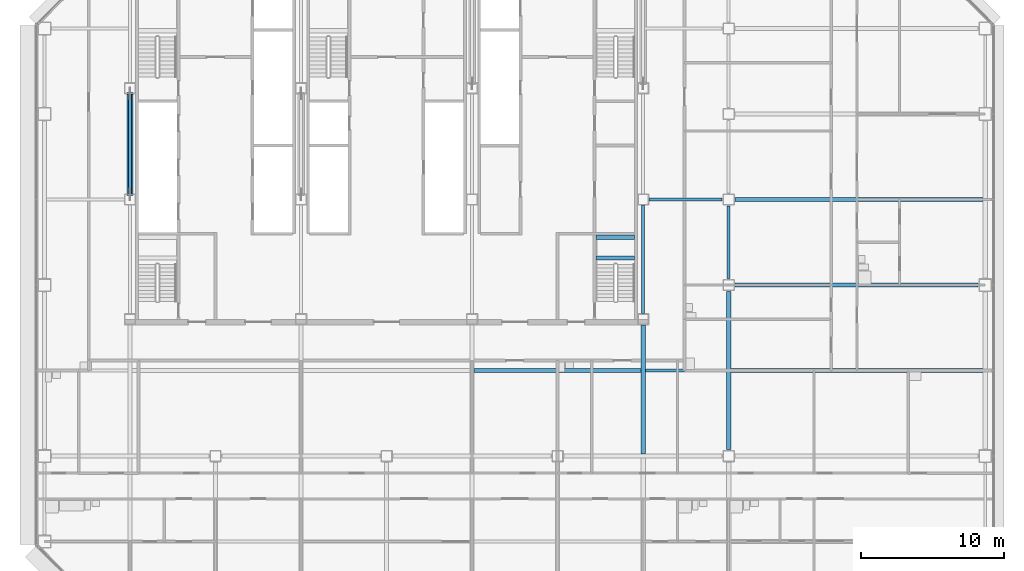
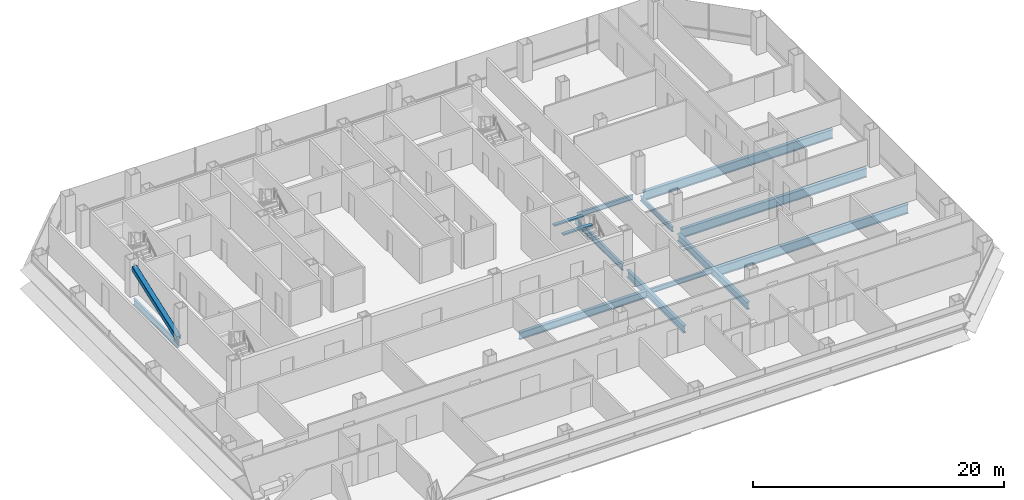
# One storey, part 10 of 27: 13 beams, 1 member.
"""IFC4 building model written with IfcOpenShell, lengths in metres."""

from ifc_helpers import new_model, si_unit, direction, frame, origin, origin_2d, place, context, subcontext, project, spatial, rectangle, hollow_rectangle, i_section, extrude, material, material_profile, profile_set, type_object, element, save


model = new_model("IFC4")

# Units and contexts
model_context = context("Model", 3, precision=1e-05, world=origin(), true_north=direction((0.0, 1.0)))
body_context = subcontext(model_context, "Body", "Model", "MODEL_VIEW")
ifc_project = project(units=[si_unit("LENGTHUNIT", "METRE"), si_unit("AREAUNIT", "SQUARE_METRE"), si_unit("VOLUMEUNIT", "CUBIC_METRE"), si_unit("PLANEANGLEUNIT", "RADIAN"), si_unit("MASSUNIT", "GRAM", prefix="KILO")], contexts=[model_context])

# Site, building, storey
site_placement = place(None, origin())
site = spatial("IfcSite", under=ifc_project, at=site_placement, CompositionType="ELEMENT")
building_placement = place(site_placement, origin())
building = spatial("IfcBuilding", under=site, at=building_placement, Name="Sorahane Residences", CompositionType="ELEMENT")
storey_placement = place(building_placement, frame((0.0, 0.0, 49.800048828125)))
storey = spatial("IfcBuildingStorey", under=building, at=storey_placement, Name="L08", CompositionType="ELEMENT", Elevation=49.800048828125)

# Member
ifc_material_1 = material(Name="Steel Q355B", Category="steel")
ifc_material_profile_1 = material_profile(ifc_material_1, hollow_rectangle(XDim=0.449951171875, YDim=0.449951171875, WallThickness=0.02197265625, InnerFilletRadius=0.010986328125, OuterFilletRadius=0.032958984375, at=origin_2d()), Name="RHS 450x450x22")
ifc_profile_set_1 = profile_set([ifc_material_profile_1], Name="Steel Q355B")
member_type = type_object("IfcMemberType", Name="Core brace RHS 450x450x22 Q355B", PredefinedType="BRACE", material=ifc_profile_set_1)
member_placement = place(storey_placement, frame((6.0, 30.354248046875, 0.20849609375), z_axis=(0.0, 0.940886586011, 0.338721762313), x_axis=(-1.0, 0.0, 0.0)))
element("IfcMember", 1, at=member_placement, inside=storey, type_object=member_type, Name="Core brace L08 x6-2", PredefinedType="BRACE", context=body_context, shape_type="SweptSolid", body=[
    extrude(hollow_rectangle(XDim=0.449951171875, YDim=0.449951171875, WallThickness=0.02197265625, InnerFilletRadius=0.010986328125, OuterFilletRadius=0.032958984375, at=origin_2d()), origin(), (0.0, 0.0, 1.0), 7.537109375),
])

# Beams
ifc_material_2 = material(Name="Concrete C40", Category="concrete")
ifc_material_profile_2 = material_profile(ifc_material_2, rectangle(XDim=0.300048828125, YDim=0.139892578125, at=origin_2d()), Name="300x140")
ifc_profile_set_2 = profile_set([ifc_material_profile_2], Name="Concrete C40")
beam_type_1 = type_object("IfcBeamType", Name="RC landing beam 300 x 140 Concrete C40", PredefinedType="BEAM", material=ifc_profile_set_2)
for number, where, z_axis, x_axis, name in (
    (2, (38.699951171875, 25.89990234375, 1.530029296875), (1.0, 0.0, 0.0), (0.0, 1.0, 0.0), "Landing beam"),
    (3, (38.699951171875, 27.35009765625, 1.530029296875), (1.0, 0.0, 0.0), (0.0, 1.0, 0.0), "Landing beam"),
):
    element("IfcBeam", number, at=place(storey_placement, frame(where, z_axis=z_axis, x_axis=x_axis)), inside=storey, type_object=beam_type_1, Name=name, PredefinedType="BEAM", context=body_context, shape_type="SweptSolid", body=[
        extrude(rectangle(XDim=0.300048828125, YDim=0.139892578125, at=origin_2d()), origin(), (0.0, 0.0, 1.0), 2.699951171875),
    ])
ifc_material_3 = material(Name="Steel Q355B", Category="steel")
ifc_material_profile_3 = material_profile(ifc_material_3, i_section(OverallWidth=0.199951171875, OverallDepth=0.449951171875, WebThickness=0.009033203125, FlangeThickness=0.013916015625, FilletRadius=0.02001953125, at=origin_2d()), Name="HN 450x200x9x14")
ifc_profile_set_3 = profile_set([ifc_material_profile_3], Name="Steel Q355B")
beam_type_2 = type_object("IfcBeamType", Name="Steel floor beam HN 450x200x9x14 Q355B", PredefinedType="BEAM", material=ifc_profile_set_3)
beam_1_placement = place(storey_placement, frame((48.0, 24.449951171875, -0.405029296875), z_axis=(0.0, 1.0, 0.0), x_axis=(-1.0, 0.0, 0.0)))
element("IfcBeam", 4, at=beam_1_placement, inside=storey, type_object=beam_type_2, Name="Beam L08 053", PredefinedType="BEAM", context=body_context, shape_type="SweptSolid", body=[
    extrude(i_section(OverallWidth=0.199951171875, OverallDepth=0.449951171875, WebThickness=0.009033203125, FlangeThickness=0.013916015625, FilletRadius=0.02001953125, at=origin_2d()), origin(), (0.0, 0.0, 1.0), 5.10009765625),
])
beam_2_placement = place(storey_placement, frame((42.14990234375, 18.0, -0.405029296875), z_axis=(1.0, 0.0, 0.0), x_axis=(0.0, 1.0, 0.0)))
element("IfcBeam", 5, at=beam_2_placement, inside=storey, type_object=beam_type_2, Name="Beam L08 074", PredefinedType="BEAM", context=body_context, shape_type="SweptSolid", body=[
    extrude(i_section(OverallWidth=0.199951171875, OverallDepth=0.449951171875, WebThickness=0.009033203125, FlangeThickness=0.013916015625, FilletRadius=0.02001953125, at=origin_2d()), origin(), (0.0, 0.0, 1.0), 5.7001953125),
])
beam_3_placement = place(storey_placement, frame((42.39990234375, 30.0, -0.405029296875), z_axis=(1.0, 0.0, 0.0), x_axis=(0.0, 1.0, 0.0)))
element("IfcBeam", 6, at=beam_3_placement, inside=storey, type_object=beam_type_2, Name="Beam L08 077", PredefinedType="BEAM", context=body_context, shape_type="SweptSolid", body=[
    extrude(i_section(OverallWidth=0.199951171875, OverallDepth=0.449951171875, WebThickness=0.009033203125, FlangeThickness=0.013916015625, FilletRadius=0.02001953125, at=origin_2d()), origin(), (0.0, 0.0, 1.0), 5.150146484375),
])
ifc_material_4 = material(Name="Steel Q355B", Category="steel")
ifc_material_profile_4 = material_profile(ifc_material_4, i_section(OverallWidth=0.199951171875, OverallDepth=0.60009765625, WebThickness=0.010986328125, FlangeThickness=0.01708984375, FilletRadius=0.02392578125, at=origin_2d()), Name="HN 600x200x11x17")
ifc_profile_set_4 = profile_set([ifc_material_profile_4], Name="Steel Q355B")
beam_type_3 = type_object("IfcBeamType", Name="Steel floor beam HN 600x200x11x17 Q355B", PredefinedType="BEAM", material=ifc_profile_set_4)
beam_4_placement = place(storey_placement, frame((6.0, 30.39990234375, -0.47998046875), z_axis=(0.0, 1.0, 0.0), x_axis=(-1.0, 0.0, 0.0)))
element("IfcBeam", 7, at=beam_4_placement, inside=storey, type_object=beam_type_3, Name="Beam L08 024", PredefinedType="BEAM", context=body_context, shape_type="SweptSolid", body=[
    extrude(i_section(OverallWidth=0.199951171875, OverallDepth=0.60009765625, WebThickness=0.010986328125, FlangeThickness=0.01708984375, FilletRadius=0.02392578125, at=origin_2d()), origin(), (0.0, 0.0, 1.0), 7.0),
])
beam_5_placement = place(storey_placement, frame((42.0, 22.0, -0.47998046875), z_axis=(0.0, 1.0, 0.0), x_axis=(-1.0, 0.0, 0.0)))
element("IfcBeam", 8, at=beam_5_placement, inside=storey, type_object=beam_type_3, Name="Beam L08 047", PredefinedType="BEAM", context=body_context, shape_type="SweptSolid", body=[
    extrude(i_section(OverallWidth=0.199951171875, OverallDepth=0.60009765625, WebThickness=0.010986328125, FlangeThickness=0.01708984375, FilletRadius=0.02392578125, at=origin_2d()), origin(), (0.0, 0.0, 1.0), 7.60009765625),
])
ifc_material_5 = material(Name="Steel Q355B", Category="steel")
ifc_material_profile_5 = material_profile(ifc_material_5, i_section(OverallWidth=0.300048828125, OverallDepth=0.699951171875, WebThickness=0.012939453125, FlangeThickness=0.02392578125, FilletRadius=0.028076171875, at=origin_2d()), Name="HN 700x300x13x24")
ifc_profile_set_5 = profile_set([ifc_material_profile_5], Name="Steel Q355B")
beam_type_4 = type_object("IfcBeamType", Name="Steel floor beam HN 700x300x13x24 Q355B", PredefinedType="BEAM", material=ifc_profile_set_5)
beam_6_placement = place(storey_placement, frame((42.0, 12.14990234375, -0.530029296875), z_axis=(0.0, 1.0, 0.0), x_axis=(-1.0, 0.0, 0.0)))
element("IfcBeam", 9, at=beam_6_placement, inside=storey, type_object=beam_type_4, Name="Beam L08 046", PredefinedType="BEAM", context=body_context, shape_type="SweptSolid", body=[
    extrude(i_section(OverallWidth=0.300048828125, OverallDepth=0.699951171875, WebThickness=0.012939453125, FlangeThickness=0.02392578125, FilletRadius=0.028076171875, at=origin_2d()), origin(), (0.0, 0.0, 1.0), 9.050048828125),
])
beam_7_placement = place(storey_placement, frame((48.0, 12.449951171875, -0.530029296875), z_axis=(0.0, 1.0, 0.0), x_axis=(-1.0, 0.0, 0.0)))
element("IfcBeam", 10, at=beam_7_placement, inside=storey, type_object=beam_type_4, Name="Beam L08 052", PredefinedType="BEAM", context=body_context, shape_type="SweptSolid", body=[
    extrude(i_section(OverallWidth=0.300048828125, OverallDepth=0.699951171875, WebThickness=0.012939453125, FlangeThickness=0.02392578125, FilletRadius=0.028076171875, at=origin_2d()), origin(), (0.0, 0.0, 1.0), 11.10009765625),
])
beam_8_placement = place(storey_placement, frame((30.14990234375, 18.0, -0.530029296875), z_axis=(1.0, 0.0, 0.0), x_axis=(0.0, 1.0, 0.0)))
element("IfcBeam", 11, at=beam_8_placement, inside=storey, type_object=beam_type_4, Name="Beam L08 073", PredefinedType="BEAM", context=body_context, shape_type="SweptSolid", body=[
    extrude(i_section(OverallWidth=0.300048828125, OverallDepth=0.699951171875, WebThickness=0.012939453125, FlangeThickness=0.02392578125, FilletRadius=0.028076171875, at=origin_2d()), origin(), (0.0, 0.0, 1.0), 11.7001953125),
])
ifc_material_6 = material(Name="Steel Q355B", Category="steel")
ifc_material_profile_6 = material_profile(ifc_material_6, i_section(OverallWidth=0.300048828125, OverallDepth=0.89990234375, WebThickness=0.01611328125, FlangeThickness=0.028076171875, FilletRadius=0.028076171875, at=origin_2d()), Name="HN 900x300x16x28")
ifc_profile_set_6 = profile_set([ifc_material_profile_6], Name="Steel Q355B")
beam_type_5 = type_object("IfcBeamType", Name="Steel floor beam HN 900x300x16x28 Q355B", PredefinedType="BEAM", material=ifc_profile_set_6)
beam_9_placement = place(storey_placement, frame((48.449951171875, 24.0, -0.630126953125), z_axis=(1.0, 0.0, 0.0), x_axis=(0.0, 1.0, 0.0)))
element("IfcBeam", 12, at=beam_9_placement, inside=storey, type_object=beam_type_5, Name="Beam L08 010", PredefinedType="BEAM", context=body_context, shape_type="SweptSolid", body=[
    extrude(i_section(OverallWidth=0.300048828125, OverallDepth=0.89990234375, WebThickness=0.01611328125, FlangeThickness=0.028076171875, FilletRadius=0.028076171875, at=origin_2d()), origin(), (0.0, 0.0, 1.0), 17.050048828125),
])
beam_10_placement = place(storey_placement, frame((48.14990234375, 18.0, -0.630126953125), z_axis=(1.0, 0.0, 0.0), x_axis=(0.0, 1.0, 0.0)))
element("IfcBeam", 13, at=beam_10_placement, inside=storey, type_object=beam_type_5, Name="Beam L08 075", PredefinedType="BEAM", context=body_context, shape_type="SweptSolid", body=[
    extrude(i_section(OverallWidth=0.300048828125, OverallDepth=0.89990234375, WebThickness=0.01611328125, FlangeThickness=0.028076171875, FilletRadius=0.028076171875, at=origin_2d()), origin(), (0.0, 0.0, 1.0), 17.7001953125),
])
beam_11_placement = place(storey_placement, frame((48.449951171875, 30.0, -0.630126953125), z_axis=(1.0, 0.0, 0.0), x_axis=(0.0, 1.0, 0.0)))
element("IfcBeam", 14, at=beam_11_placement, inside=storey, type_object=beam_type_5, Name="Beam L08 078", PredefinedType="BEAM", context=body_context, shape_type="SweptSolid", body=[
    extrude(i_section(OverallWidth=0.300048828125, OverallDepth=0.89990234375, WebThickness=0.01611328125, FlangeThickness=0.028076171875, FilletRadius=0.028076171875, at=origin_2d()), origin(), (0.0, 0.0, 1.0), 17.400146484375),
])

save(model, "model.ifc")
